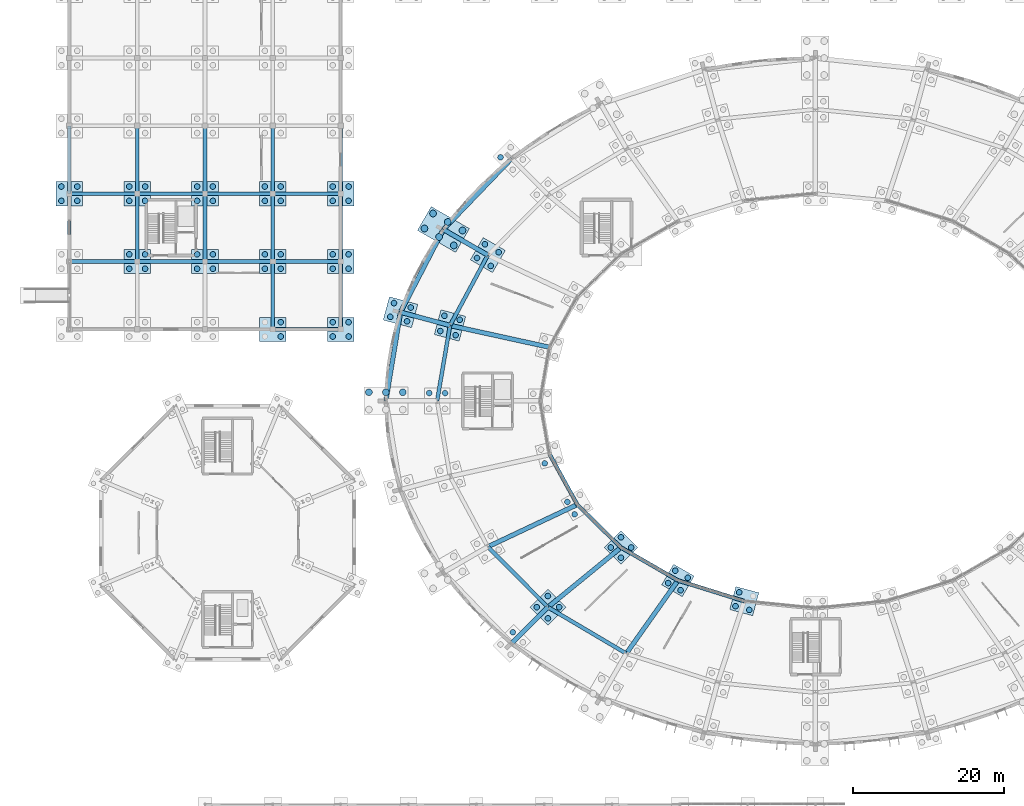
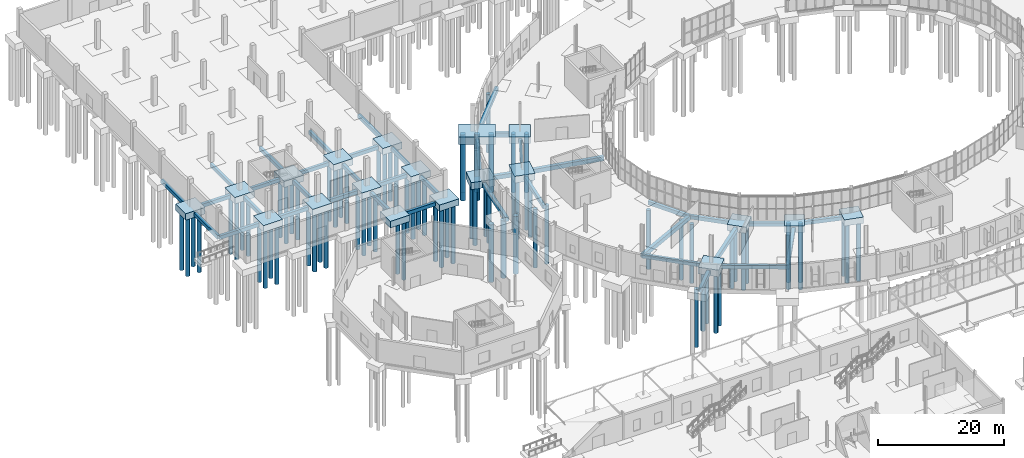
# One storey, part 4 of 118: 85 piles, 58 footings.
"""IFC4 building model written with IfcOpenShell, lengths in metres."""

from ifc_helpers import new_model, si_unit, direction, frame, origin, origin_2d, place, context, subcontext, project, spatial, rectangle, circle, extrude, material, material_profile, profile_set, type_object, element, save


model = new_model("IFC4")

# Units and contexts
model_context = context("Model", 3, precision=1e-05, world=origin(), true_north=direction((0.0, 1.0)))
body_context = subcontext(model_context, "Body", "Model", "MODEL_VIEW")
ifc_project = project(units=[si_unit("LENGTHUNIT", "METRE"), si_unit("AREAUNIT", "SQUARE_METRE"), si_unit("VOLUMEUNIT", "CUBIC_METRE"), si_unit("PLANEANGLEUNIT", "RADIAN"), si_unit("MASSUNIT", "GRAM", prefix="KILO")], contexts=[model_context])

# Site, building, storey
site_placement = place(None, origin())
site = spatial("IfcSite", under=ifc_project, at=site_placement, CompositionType="ELEMENT")
building_placement = place(site_placement, origin())
building = spatial("IfcBuilding", under=site, at=building_placement, Name="Kildeholm Park Wholesale Market", CompositionType="ELEMENT")
storey_placement = place(building_placement, origin())
storey = spatial("IfcBuildingStorey", under=building, at=storey_placement, Name="L00", CompositionType="ELEMENT", Elevation=0.0)

# Piles
ifc_material = material(Name="Concrete C35/45", Category="concrete")
ifc_material_profile_1 = material_profile(ifc_material, circle(Radius=0.375, at=origin_2d()), Name="PILE D750")
ifc_profile_set_1 = profile_set([ifc_material_profile_1], Name="Concrete C35/45")
pile_type_1 = type_object("IfcPileType", Name="Bored pile 750 mm", PredefinedType="BORED", material=ifc_profile_set_1)
pile_1_placement = place(storey_placement, frame((57.210205078125, 121.814453125, -1.25), z_axis=(0.0, 0.0, -1.0), x_axis=(1.0, 0.0, 0.0)))
element("IfcPile", 1, at=pile_1_placement, inside=storey, type_object=pile_type_1, Name="Bored pile V1-OT-09.4 PIL-0130", PredefinedType="BORED", context=body_context, shape_type="SweptSolid", body=[
    extrude(circle(Radius=0.375, at=origin_2d()), origin(), (0.0, 0.0, 1.0), 11.25),
])
for number, where, z_axis, x_axis, name in (
    (2, (56.960205078125, 109.234375, -1.199951171875), (0.0, 0.0, -1.0), (1.0, 0.0, 0.0), "Bored pile V1-MD-10.1 PIL-0135"),
    (3, (55.1416015625, 110.2841796875, -1.199951171875), (0.0, 0.0, -1.0), (1.0, 0.0, 0.0), "Bored pile V1-MD-10.2 PIL-0136"),
    (4, (55.910400390625, 107.415771484375, -1.199951171875), (0.0, 0.0, -1.0), (1.0, 0.0, 0.0), "Bored pile V1-MD-10.3 PIL-0137"),
    (5, (54.091796875, 108.4658203125, -1.199951171875), (0.0, 0.0, -1.0), (1.0, 0.0, 0.0), "Bored pile V1-MD-10.4 PIL-0138"),
    (6, (51.797119140625, 100.258544921875, -1.199951171875), (0.0, 0.0, -1.0), (1.0, 0.0, 0.0), "Bored pile V1-MD-11.1 PIL-0149"),
    (7, (49.7685546875, 100.802001953125, -1.199951171875), (0.0, 0.0, -1.0), (1.0, 0.0, 0.0), "Bored pile V1-MD-11.2 PIL-0150"),
    (8, (51.25341796875, 98.22998046875, -1.199951171875), (0.0, 0.0, -1.0), (1.0, 0.0, 0.0), "Bored pile V1-MD-11.3 PIL-0151"),
    (9, (49.22509765625, 98.7734375, -1.199951171875), (0.0, 0.0, -1.0), (1.0, 0.0, 0.0), "Bored pile V1-MD-11.4 PIL-0152"),
):
    element("IfcPile", number, at=place(storey_placement, frame(where, z_axis=z_axis, x_axis=x_axis)), inside=storey, type_object=pile_type_1, Name=name, PredefinedType="BORED", context=body_context, shape_type="SweptSolid", body=[
        extrude(circle(Radius=0.375, at=origin_2d()), origin(), (0.0, 0.0, 1.0), 11.300048828125),
    ])
for number, where, z_axis, x_axis, name in (
    (10, (45.298583984375, 101.89599609375, -1.25), (0.0, 0.0, -1.0), (1.0, 0.0, 0.0), "Bored pile V1-OT-11.1 PIL-0153"),
    (11, (43.0771484375, 102.4912109375, -1.25), (0.0, 0.0, -1.0), (1.0, 0.0, 0.0), "Bored pile V1-OT-11.2 PIL-0154"),
    (12, (44.806884765625, 100.060791015625, -1.25), (0.0, 0.0, -1.0), (1.0, 0.0, 0.0), "Bored pile V1-OT-11.3 PIL-0155"),
    (13, (42.585205078125, 100.656005859375, -1.25), (0.0, 0.0, -1.0), (1.0, 0.0, 0.0), "Bored pile V1-OT-11.4 PIL-0156"),
):
    element("IfcPile", number, at=place(storey_placement, frame(where, z_axis=z_axis, x_axis=x_axis)), inside=storey, type_object=pile_type_1, Name=name, PredefinedType="BORED", context=body_context, shape_type="SweptSolid", body=[
        extrude(circle(Radius=0.375, at=origin_2d()), origin(), (0.0, 0.0, 1.0), 11.25),
    ])
for number, where, z_axis, x_axis, name in (
    (14, (49.85009765625, 90.550048828125, -1.199951171875), (0.0, 0.0, -1.0), (1.0, 0.0, 0.0), "Bored pile V1-MD-12.1 PIL-0161"),
    (15, (47.75, 90.550048828125, -1.199951171875), (0.0, 0.0, -1.0), (1.0, 0.0, 0.0), "Bored pile V1-MD-12.2 PIL-0162"),
):
    element("IfcPile", number, at=place(storey_placement, frame(where, z_axis=z_axis, x_axis=x_axis)), inside=storey, type_object=pile_type_1, Name=name, PredefinedType="BORED", context=body_context, shape_type="SweptSolid", body=[
        extrude(circle(Radius=0.375, at=origin_2d()), origin(), (0.0, 0.0, 1.0), 11.300048828125),
    ])
for number, where, z_axis, x_axis, name in (
    (16, (63.072265625, 81.218505859375, -1.10009765625), (0.0, 0.0, -1.0), (1.0, 0.0, 0.0), "Bored pile V1-IN-13.4 PIL-0174"),
    (17, (66.09228515625, 76.09765625, -1.10009765625), (0.0, 0.0, -1.0), (1.0, 0.0, 0.0), "Bored pile V1-IN-14.2 PIL-0184"),
    (18, (67.042236328125, 74.452392578125, -1.10009765625), (0.0, 0.0, -1.0), (1.0, 0.0, 0.0), "Bored pile V1-IN-14.4 PIL-0186"),
    (19, (73.19091796875, 71.3984375, -1.10009765625), (0.0, 0.0, -1.0), (1.0, 0.0, 0.0), "Bored pile V1-IN-15.1 PIL-0197"),
    (20, (71.847412109375, 70.054931640625, -1.10009765625), (0.0, 0.0, -1.0), (1.0, 0.0, 0.0), "Bored pile V1-IN-15.2 PIL-0198"),
    (21, (74.534423828125, 70.054931640625, -1.10009765625), (0.0, 0.0, -1.0), (1.0, 0.0, 0.0), "Bored pile V1-IN-15.3 PIL-0199"),
    (22, (73.19091796875, 68.71142578125, -1.10009765625), (0.0, 0.0, -1.0), (1.0, 0.0, 0.0), "Bored pile V1-IN-15.4 PIL-0200"),
):
    element("IfcPile", number, at=place(storey_placement, frame(where, z_axis=z_axis, x_axis=x_axis)), inside=storey, type_object=pile_type_1, Name=name, PredefinedType="BORED", context=body_context, shape_type="SweptSolid", body=[
        extrude(circle(Radius=0.375, at=origin_2d()), origin(), (0.0, 0.0, 1.0), 11.39990234375),
    ])
for number, where, z_axis, x_axis, name in (
    (23, (63.5029296875, 63.619873046875, -1.199951171875), (0.0, 0.0, -1.0), (1.0, 0.0, 0.0), "Bored pile V1-MD-15.1 PIL-0201"),
    (24, (62.01806640625, 62.135009765625, -1.199951171875), (0.0, 0.0, -1.0), (1.0, 0.0, 0.0), "Bored pile V1-MD-15.2 PIL-0202"),
    (25, (64.98779296875, 62.135009765625, -1.199951171875), (0.0, 0.0, -1.0), (1.0, 0.0, 0.0), "Bored pile V1-MD-15.3 PIL-0203"),
    (26, (63.5029296875, 60.650146484375, -1.199951171875), (0.0, 0.0, -1.0), (1.0, 0.0, 0.0), "Bored pile V1-MD-15.4 PIL-0204"),
):
    element("IfcPile", number, at=place(storey_placement, frame(where, z_axis=z_axis, x_axis=x_axis)), inside=storey, type_object=pile_type_1, Name=name, PredefinedType="BORED", context=body_context, shape_type="SweptSolid", body=[
        extrude(circle(Radius=0.375, at=origin_2d()), origin(), (0.0, 0.0, 1.0), 11.300048828125),
    ])
pile_2_placement = place(storey_placement, frame((58.83642578125, 58.81201171875, -1.25), z_axis=(0.0, 0.0, -1.0), x_axis=(1.0, 0.0, 0.0)))
element("IfcPile", 27, at=pile_2_placement, inside=storey, type_object=pile_type_1, Name="Bored pile V1-OT-15.1 PIL-0205", PredefinedType="BORED", context=body_context, shape_type="SweptSolid", body=[
    extrude(circle(Radius=0.375, at=origin_2d()), origin(), (0.0, 0.0, 1.0), 11.25),
])
for number, where, z_axis, x_axis, name in (
    (28, (80.40234375, 66.981689453125, -1.10009765625), (0.0, 0.0, -1.0), (1.0, 0.0, 0.0), "Bored pile V1-IN-16.1 PIL-0209"),
    (29, (79.452392578125, 65.336181640625, -1.10009765625), (0.0, 0.0, -1.0), (1.0, 0.0, 0.0), "Bored pile V1-IN-16.2 PIL-0210"),
    (30, (82.047607421875, 66.03173828125, -1.10009765625), (0.0, 0.0, -1.0), (1.0, 0.0, 0.0), "Bored pile V1-IN-16.3 PIL-0211"),
    (31, (81.09765625, 64.38623046875, -1.10009765625), (0.0, 0.0, -1.0), (1.0, 0.0, 0.0), "Bored pile V1-IN-16.4 PIL-0212"),
    (32, (88.881103515625, 64.1005859375, -1.10009765625), (0.0, 0.0, -1.0), (1.0, 0.0, 0.0), "Bored pile V1-IN-17.1 PIL-0223"),
    (33, (88.389404296875, 62.26513671875, -1.10009765625), (0.0, 0.0, -1.0), (1.0, 0.0, 0.0), "Bored pile V1-IN-17.2 PIL-0224"),
    (34, (90.224853515625, 61.7734375, -1.10009765625), (0.0, 0.0, -1.0), (1.0, 0.0, 0.0), "Bored pile V1-IN-17.4 PIL-0226"),
):
    element("IfcPile", number, at=place(storey_placement, frame(where, z_axis=z_axis, x_axis=x_axis)), inside=storey, type_object=pile_type_1, Name=name, PredefinedType="BORED", context=body_context, shape_type="SweptSolid", body=[
        extrude(circle(Radius=0.375, at=origin_2d()), origin(), (0.0, 0.0, 1.0), 11.39990234375),
    ])
for number, where, z_axis, x_axis, name in (
    (35, (-1.050048828125, 116.050048828125, -1.14990234375), (0.0, 0.0, -1.0), (1.0, 0.0, 0.0), "Bored pile V4-000-117.1 PIL-0433"),
    (36, (1.050048828125, 116.050048828125, -1.14990234375), (0.0, 0.0, -1.0), (1.0, 0.0, 0.0), "Bored pile V4-000-117.2 PIL-0434"),
    (37, (-1.050048828125, 117.949951171875, -1.14990234375), (0.0, 0.0, -1.0), (1.0, 0.0, 0.0), "Bored pile V4-000-117.3 PIL-0435"),
    (38, (1.050048828125, 117.949951171875, -1.14990234375), (0.0, 0.0, -1.0), (1.0, 0.0, 0.0), "Bored pile V4-000-117.4 PIL-0436"),
    (39, (7.949951171875, 107.050048828125, -1.14990234375), (0.0, 0.0, -1.0), (1.0, 0.0, 0.0), "Bored pile V4-009-108.1 PIL-0465"),
    (40, (10.050048828125, 107.050048828125, -1.14990234375), (0.0, 0.0, -1.0), (1.0, 0.0, 0.0), "Bored pile V4-009-108.2 PIL-0466"),
    (41, (7.949951171875, 108.949951171875, -1.14990234375), (0.0, 0.0, -1.0), (1.0, 0.0, 0.0), "Bored pile V4-009-108.3 PIL-0467"),
    (42, (10.050048828125, 108.949951171875, -1.14990234375), (0.0, 0.0, -1.0), (1.0, 0.0, 0.0), "Bored pile V4-009-108.4 PIL-0468"),
    (43, (7.949951171875, 116.050048828125, -1.14990234375), (0.0, 0.0, -1.0), (1.0, 0.0, 0.0), "Bored pile V4-009-117.1 PIL-0469"),
    (44, (10.050048828125, 116.050048828125, -1.14990234375), (0.0, 0.0, -1.0), (1.0, 0.0, 0.0), "Bored pile V4-009-117.2 PIL-0470"),
    (45, (7.949951171875, 117.949951171875, -1.14990234375), (0.0, 0.0, -1.0), (1.0, 0.0, 0.0), "Bored pile V4-009-117.3 PIL-0471"),
    (46, (10.050048828125, 117.949951171875, -1.14990234375), (0.0, 0.0, -1.0), (1.0, 0.0, 0.0), "Bored pile V4-009-117.4 PIL-0472"),
    (47, (16.949951171875, 107.050048828125, -1.14990234375), (0.0, 0.0, -1.0), (1.0, 0.0, 0.0), "Bored pile V4-018-108.1 PIL-0501"),
    (48, (19.050048828125, 107.050048828125, -1.14990234375), (0.0, 0.0, -1.0), (1.0, 0.0, 0.0), "Bored pile V4-018-108.2 PIL-0502"),
    (49, (16.949951171875, 108.949951171875, -1.14990234375), (0.0, 0.0, -1.0), (1.0, 0.0, 0.0), "Bored pile V4-018-108.3 PIL-0503"),
    (50, (19.050048828125, 108.949951171875, -1.14990234375), (0.0, 0.0, -1.0), (1.0, 0.0, 0.0), "Bored pile V4-018-108.4 PIL-0504"),
    (51, (16.949951171875, 116.050048828125, -1.14990234375), (0.0, 0.0, -1.0), (1.0, 0.0, 0.0), "Bored pile V4-018-117.1 PIL-0505"),
    (52, (19.050048828125, 116.050048828125, -1.14990234375), (0.0, 0.0, -1.0), (1.0, 0.0, 0.0), "Bored pile V4-018-117.2 PIL-0506"),
    (53, (16.949951171875, 117.949951171875, -1.14990234375), (0.0, 0.0, -1.0), (1.0, 0.0, 0.0), "Bored pile V4-018-117.3 PIL-0507"),
    (54, (19.050048828125, 117.949951171875, -1.14990234375), (0.0, 0.0, -1.0), (1.0, 0.0, 0.0), "Bored pile V4-018-117.4 PIL-0508"),
    (55, (28.050048828125, 98.050048828125, -1.14990234375), (0.0, 0.0, -1.0), (1.0, 0.0, 0.0), "Bored pile V4-027-099.2 PIL-0534"),
    (56, (28.050048828125, 99.949951171875, -1.14990234375), (0.0, 0.0, -1.0), (1.0, 0.0, 0.0), "Bored pile V4-027-099.4 PIL-0536"),
    (57, (25.949951171875, 107.050048828125, -1.14990234375), (0.0, 0.0, -1.0), (1.0, 0.0, 0.0), "Bored pile V4-027-108.1 PIL-0537"),
    (58, (28.050048828125, 107.050048828125, -1.14990234375), (0.0, 0.0, -1.0), (1.0, 0.0, 0.0), "Bored pile V4-027-108.2 PIL-0538"),
    (59, (25.949951171875, 108.949951171875, -1.14990234375), (0.0, 0.0, -1.0), (1.0, 0.0, 0.0), "Bored pile V4-027-108.3 PIL-0539"),
    (60, (28.050048828125, 108.949951171875, -1.14990234375), (0.0, 0.0, -1.0), (1.0, 0.0, 0.0), "Bored pile V4-027-108.4 PIL-0540"),
    (61, (25.949951171875, 116.050048828125, -1.14990234375), (0.0, 0.0, -1.0), (1.0, 0.0, 0.0), "Bored pile V4-027-117.1 PIL-0541"),
    (62, (28.050048828125, 116.050048828125, -1.14990234375), (0.0, 0.0, -1.0), (1.0, 0.0, 0.0), "Bored pile V4-027-117.2 PIL-0542"),
    (63, (25.949951171875, 117.949951171875, -1.14990234375), (0.0, 0.0, -1.0), (1.0, 0.0, 0.0), "Bored pile V4-027-117.3 PIL-0543"),
    (64, (28.050048828125, 117.949951171875, -1.14990234375), (0.0, 0.0, -1.0), (1.0, 0.0, 0.0), "Bored pile V4-027-117.4 PIL-0544"),
    (65, (34.949951171875, 98.050048828125, -1.14990234375), (0.0, 0.0, -1.0), (1.0, 0.0, 0.0), "Bored pile V4-036-099.1 PIL-0569"),
    (66, (37.050048828125, 98.050048828125, -1.14990234375), (0.0, 0.0, -1.0), (1.0, 0.0, 0.0), "Bored pile V4-036-099.2 PIL-0570"),
    (67, (34.949951171875, 99.949951171875, -1.14990234375), (0.0, 0.0, -1.0), (1.0, 0.0, 0.0), "Bored pile V4-036-099.3 PIL-0571"),
    (68, (37.050048828125, 99.949951171875, -1.14990234375), (0.0, 0.0, -1.0), (1.0, 0.0, 0.0), "Bored pile V4-036-099.4 PIL-0572"),
    (69, (34.949951171875, 107.050048828125, -1.14990234375), (0.0, 0.0, -1.0), (1.0, 0.0, 0.0), "Bored pile V4-036-108.1 PIL-0573"),
    (70, (37.050048828125, 107.050048828125, -1.14990234375), (0.0, 0.0, -1.0), (1.0, 0.0, 0.0), "Bored pile V4-036-108.2 PIL-0574"),
    (71, (34.949951171875, 108.949951171875, -1.14990234375), (0.0, 0.0, -1.0), (1.0, 0.0, 0.0), "Bored pile V4-036-108.3 PIL-0575"),
    (72, (37.050048828125, 108.949951171875, -1.14990234375), (0.0, 0.0, -1.0), (1.0, 0.0, 0.0), "Bored pile V4-036-108.4 PIL-0576"),
    (73, (34.949951171875, 116.050048828125, -1.14990234375), (0.0, 0.0, -1.0), (1.0, 0.0, 0.0), "Bored pile V4-036-117.1 PIL-0577"),
    (74, (37.050048828125, 116.050048828125, -1.14990234375), (0.0, 0.0, -1.0), (1.0, 0.0, 0.0), "Bored pile V4-036-117.2 PIL-0578"),
    (75, (34.949951171875, 117.949951171875, -1.14990234375), (0.0, 0.0, -1.0), (1.0, 0.0, 0.0), "Bored pile V4-036-117.3 PIL-0579"),
    (76, (37.050048828125, 117.949951171875, -1.14990234375), (0.0, 0.0, -1.0), (1.0, 0.0, 0.0), "Bored pile V4-036-117.4 PIL-0580"),
):
    element("IfcPile", number, at=place(storey_placement, frame(where, z_axis=z_axis, x_axis=x_axis)), inside=storey, type_object=pile_type_1, Name=name, PredefinedType="BORED", context=body_context, shape_type="SweptSolid", body=[
        extrude(circle(Radius=0.375, at=origin_2d()), origin(), (0.0, 0.0, 1.0), 11.35009765625),
    ])
ifc_material_profile_2 = material_profile(ifc_material, circle(Radius=0.449951171875, at=origin_2d()), Name="PILE D900")
ifc_profile_set_2 = profile_set([ifc_material_profile_2], Name="Concrete C35/45")
pile_type_2 = type_object("IfcPileType", Name="Bored pile 900 mm", PredefinedType="BORED", material=ifc_profile_set_2)
for number, where, z_axis, x_axis, name in (
    (77, (52.16064453125, 112.120849609375, -1.35009765625), (0.0, 0.0, -1.0), (1.0, 0.0, 0.0), "Bored pile V1-OT-10.1 PIL-0139"),
    (78, (50.2119140625, 113.245849609375, -1.35009765625), (0.0, 0.0, -1.0), (1.0, 0.0, 0.0), "Bored pile V1-OT-10.2 PIL-0140"),
    (79, (48.263427734375, 114.370849609375, -1.35009765625), (0.0, 0.0, -1.0), (1.0, 0.0, 0.0), "Bored pile V1-OT-10.3 PIL-0141"),
    (80, (51.010498046875, 110.129150390625, -1.35009765625), (0.0, 0.0, -1.0), (1.0, 0.0, 0.0), "Bored pile V1-OT-10.4 PIL-0142"),
    (81, (49.06201171875, 111.254150390625, -1.35009765625), (0.0, 0.0, -1.0), (1.0, 0.0, 0.0), "Bored pile V1-OT-10.5 PIL-0143"),
    (82, (47.11328125, 112.379150390625, -1.35009765625), (0.0, 0.0, -1.0), (1.0, 0.0, 0.0), "Bored pile V1-OT-10.6 PIL-0144"),
    (83, (44.25, 90.64990234375, -1.35009765625), (0.0, 0.0, -1.0), (1.0, 0.0, 0.0), "Bored pile V1-OT-12.1 PIL-0165"),
    (84, (42.0, 90.64990234375, -1.35009765625), (0.0, 0.0, -1.0), (1.0, 0.0, 0.0), "Bored pile V1-OT-12.2 PIL-0166"),
    (85, (39.75, 90.64990234375, -1.35009765625), (0.0, 0.0, -1.0), (1.0, 0.0, 0.0), "Bored pile V1-OT-12.3 PIL-0167"),
):
    element("IfcPile", number, at=place(storey_placement, frame(where, z_axis=z_axis, x_axis=x_axis)), inside=storey, type_object=pile_type_2, Name=name, PredefinedType="BORED", context=body_context, shape_type="SweptSolid", body=[
        extrude(circle(Radius=0.449951171875, at=origin_2d()), origin(), (0.0, 0.0, 1.0), 11.14990234375),
    ])

# Footings
ifc_material_profile_3 = material_profile(ifc_material, rectangle(XDim=0.5, YDim=0.699951171875, at=origin_2d()), Name="FB 500x700")
ifc_profile_set_3 = profile_set([ifc_material_profile_3], Name="Concrete C35/45")
footing_type_1 = type_object("IfcFootingType", Name="Ground tie beam GB-1 FB 500x700", PredefinedType="FOOTING_BEAM", material=ifc_profile_set_3)
footing_1_placement = place(storey_placement, frame((55.52587890625, 108.85009765625, -0.64990234375), z_axis=(-0.473287580572, -0.880907978211, 0.0), x_axis=(0.880907978211, -0.473287580572, 0.0)))
element("IfcFooting", 86, at=footing_1_placement, inside=storey, type_object=footing_type_1, Name="Ground tie beam GB-V1-CMD-10 FTG-0126", PredefinedType="FOOTING_BEAM", context=body_context, shape_type="SweptSolid", body=[
    extrude(rectangle(XDim=0.5, YDim=0.699951171875, at=origin_2d()), origin(), (0.0, 0.0, 1.0), 10.595947265625),
])
footing_2_placement = place(storey_placement, frame((50.510986328125, 99.51611328125, -0.64990234375), z_axis=(-0.168379597692, -0.985722228156, 0.0), x_axis=(0.985722228156, -0.168379597692, 0.0)))
element("IfcFooting", 87, at=footing_2_placement, inside=storey, type_object=footing_type_1, Name="Ground tie beam GB-V1-CMD-11 FTG-0131", PredefinedType="FOOTING_BEAM", context=body_context, shape_type="SweptSolid", body=[
    extrude(rectangle(XDim=0.5, YDim=0.699951171875, at=origin_2d()), origin(), (0.0, 0.0, 1.0), 10.1611328125),
])
footing_3_placement = place(storey_placement, frame((63.743896484375, 82.382080078125, -0.64990234375), z_axis=(0.481751565348, -0.876307839338, 0.0), x_axis=(0.876307839338, 0.481751565348, 0.0)))
element("IfcFooting", 88, at=footing_3_placement, inside=storey, type_object=footing_type_1, Name="Ground tie beam GB-V1-CIN-13 FTG-0140", PredefinedType="FOOTING_BEAM", context=body_context, shape_type="SweptSolid", body=[
    extrude(rectangle(XDim=0.5, YDim=0.699951171875, at=origin_2d()), origin(), (0.0, 0.0, 1.0), 7.568115234375),
])
footing_4_placement = place(storey_placement, frame((67.389892578125, 75.75, -0.64990234375), z_axis=(0.713593723838, -0.700559774251, 0.0), x_axis=(0.700559774251, 0.713593723838, 0.0)))
element("IfcFooting", 89, at=footing_4_placement, inside=storey, type_object=footing_type_1, Name="Ground tie beam GB-V1-CIN-14 FTG-0145", PredefinedType="FOOTING_BEAM", context=body_context, shape_type="SweptSolid", body=[
    extrude(rectangle(XDim=0.5, YDim=0.699951171875, at=origin_2d()), origin(), (0.0, 0.0, 1.0), 8.12939453125),
])
footing_5_placement = place(storey_placement, frame((55.52587890625, 70.14990234375, -0.64990234375), z_axis=(0.705431576708, -0.708778026313, 0.0), x_axis=(0.708778026313, 0.705431576708, 0.0)))
element("IfcFooting", 90, at=footing_5_placement, inside=storey, type_object=footing_type_1, Name="Ground tie beam GB-V1-CMD-14 FTG-0146", PredefinedType="FOOTING_BEAM", context=body_context, shape_type="SweptSolid", body=[
    extrude(rectangle(XDim=0.5, YDim=0.699951171875, at=origin_2d()), origin(), (0.0, 0.0, 1.0), 11.30810546875),
])
footing_6_placement = place(storey_placement, frame((73.19091796875, 70.054931640625, -0.64990234375), z_axis=(0.865697347457, -0.500567780231, 0.0), x_axis=(0.500567780231, 0.865697347457, 0.0)))
element("IfcFooting", 91, at=footing_6_placement, inside=storey, type_object=footing_type_1, Name="Ground tie beam GB-V1-CIN-15 FTG-0150", PredefinedType="FOOTING_BEAM", context=body_context, shape_type="SweptSolid", body=[
    extrude(rectangle(XDim=0.5, YDim=0.699951171875, at=origin_2d()), origin(), (0.0, 0.0, 1.0), 8.731689453125),
])
footing_7_placement = place(storey_placement, frame((63.5029296875, 62.135009765625, -0.64990234375), z_axis=(0.860700316594, -0.509111937609, 0.0), x_axis=(0.509111937609, 0.860700316594, 0.0)))
element("IfcFooting", 92, at=footing_7_placement, inside=storey, type_object=footing_type_1, Name="Ground tie beam GB-V1-CMD-15 FTG-0151", PredefinedType="FOOTING_BEAM", context=body_context, shape_type="SweptSolid", body=[
    extrude(rectangle(XDim=0.5, YDim=0.699951171875, at=origin_2d()), origin(), (0.0, 0.0, 1.0), 12.07958984375),
])
footing_8_placement = place(storey_placement, frame((80.75, 65.68408203125, -0.64990234375), z_axis=(0.9545990852, -0.297893582568, 0.0), x_axis=(0.297893582568, 0.9545990852, 0.0)))
element("IfcFooting", 93, at=footing_8_placement, inside=storey, type_object=footing_type_1, Name="Ground tie beam GB-V1-CIN-16 FTG-0155", PredefinedType="FOOTING_BEAM", context=body_context, shape_type="SweptSolid", body=[
    extrude(rectangle(XDim=0.5, YDim=0.699951171875, at=origin_2d()), origin(), (0.0, 0.0, 1.0), 9.2216796875),
])
for number, where, z_axis, x_axis, name in (
    (94, (0.0, 108.0, -0.64990234375), (1.0, 0.0, 0.0), (0.0, 1.0, 0.0), "Ground tie beam GB-V4-X-000-108 FTG-0400"),
    (95, (0.0, 108.0, -0.64990234375), (0.0, 1.0, 0.0), (-1.0, 0.0, 0.0), "Ground tie beam GB-V4-Y-000-108 FTG-0401"),
    (96, (0.0, 117.0, -0.64990234375), (1.0, 0.0, 0.0), (0.0, 1.0, 0.0), "Ground tie beam GB-V4-X-000-117 FTG-0402"),
    (97, (0.0, 117.0, -0.64990234375), (0.0, 1.0, 0.0), (-1.0, 0.0, 0.0), "Ground tie beam GB-V4-Y-000-117 FTG-0403"),
    (98, (9.0, 108.0, -0.64990234375), (1.0, 0.0, 0.0), (0.0, 1.0, 0.0), "Ground tie beam GB-V4-X-009-108 FTG-0417"),
    (99, (9.0, 108.0, -0.64990234375), (0.0, 1.0, 0.0), (-1.0, 0.0, 0.0), "Ground tie beam GB-V4-Y-009-108 FTG-0418"),
    (100, (9.0, 117.0, -0.64990234375), (1.0, 0.0, 0.0), (0.0, 1.0, 0.0), "Ground tie beam GB-V4-X-009-117 FTG-0419"),
    (101, (9.0, 117.0, -0.64990234375), (0.0, 1.0, 0.0), (-1.0, 0.0, 0.0), "Ground tie beam GB-V4-Y-009-117 FTG-0420"),
    (102, (18.0, 108.0, -0.64990234375), (1.0, 0.0, 0.0), (0.0, 1.0, 0.0), "Ground tie beam GB-V4-X-018-108 FTG-0434"),
    (103, (18.0, 108.0, -0.64990234375), (0.0, 1.0, 0.0), (-1.0, 0.0, 0.0), "Ground tie beam GB-V4-Y-018-108 FTG-0435"),
    (104, (18.0, 117.0, -0.64990234375), (1.0, 0.0, 0.0), (0.0, 1.0, 0.0), "Ground tie beam GB-V4-X-018-117 FTG-0436"),
    (105, (18.0, 117.0, -0.64990234375), (0.0, 1.0, 0.0), (-1.0, 0.0, 0.0), "Ground tie beam GB-V4-Y-018-117 FTG-0437"),
    (106, (27.0, 99.0, -0.64990234375), (1.0, 0.0, 0.0), (0.0, 1.0, 0.0), "Ground tie beam GB-V4-X-027-099 FTG-0449"),
    (107, (27.0, 99.0, -0.64990234375), (0.0, 1.0, 0.0), (-1.0, 0.0, 0.0), "Ground tie beam GB-V4-Y-027-099 FTG-0450"),
    (108, (27.0, 108.0, -0.64990234375), (1.0, 0.0, 0.0), (0.0, 1.0, 0.0), "Ground tie beam GB-V4-X-027-108 FTG-0451"),
    (109, (27.0, 108.0, -0.64990234375), (0.0, 1.0, 0.0), (-1.0, 0.0, 0.0), "Ground tie beam GB-V4-Y-027-108 FTG-0452"),
    (110, (27.0, 117.0, -0.64990234375), (1.0, 0.0, 0.0), (0.0, 1.0, 0.0), "Ground tie beam GB-V4-X-027-117 FTG-0453"),
    (111, (27.0, 117.0, -0.64990234375), (0.0, 1.0, 0.0), (-1.0, 0.0, 0.0), "Ground tie beam GB-V4-Y-027-117 FTG-0454"),
    (112, (36.0, 99.0, -0.64990234375), (0.0, 1.0, 0.0), (-1.0, 0.0, 0.0), "Ground tie beam GB-V4-Y-036-099 FTG-0466"),
    (113, (36.0, 108.0, -0.64990234375), (0.0, 1.0, 0.0), (-1.0, 0.0, 0.0), "Ground tie beam GB-V4-Y-036-108 FTG-0467"),
    (114, (36.0, 117.0, -0.64990234375), (0.0, 1.0, 0.0), (-1.0, 0.0, 0.0), "Ground tie beam GB-V4-Y-036-117 FTG-0468"),
):
    element("IfcFooting", number, at=place(storey_placement, frame(where, z_axis=z_axis, x_axis=x_axis)), inside=storey, type_object=footing_type_1, Name=name, PredefinedType="FOOTING_BEAM", context=body_context, shape_type="SweptSolid", body=[
        extrude(rectangle(XDim=0.5, YDim=0.699951171875, at=origin_2d()), origin(), (0.0, 0.0, 1.0), 9.0),
    ])
ifc_material_profile_4 = material_profile(ifc_material, rectangle(XDim=0.60009765625, YDim=0.800048828125, at=origin_2d()), Name="FB 600x800")
ifc_profile_set_4 = profile_set([ifc_material_profile_4], Name="Concrete C35/45")
footing_type_2 = type_object("IfcFootingType", Name="Ground tie beam GB-2 FB 600x800", PredefinedType="FOOTING_BEAM", material=ifc_profile_set_4)
footing_9_placement = place(storey_placement, frame((58.695068359375, 121.673095703125, -0.699951171875), z_axis=(-0.693006803532, -0.720931044039, 0.0), x_axis=(0.720931044039, -0.693006803532, 0.0)))
element("IfcFooting", 115, at=footing_9_placement, inside=storey, type_object=footing_type_2, Name="Ground tie beam GB-V1-COT-09 FTG-0122", PredefinedType="FOOTING_BEAM", context=body_context, shape_type="SweptSolid", body=[
    extrude(rectangle(XDim=0.60009765625, YDim=0.800048828125, at=origin_2d()), origin(), (0.0, 0.0, 1.0), 13.07080078125),
])
footing_10_placement = place(storey_placement, frame((55.52587890625, 108.85009765625, -0.699951171875), z_axis=(-0.866029536736, 0.499992841449, 0.0), x_axis=(-0.499992841449, -0.866029536736, 0.0)))
element("IfcFooting", 116, at=footing_10_placement, inside=storey, type_object=footing_type_2, Name="Ground tie beam GB-V1-RAD2-10 FTG-0124", PredefinedType="FOOTING_BEAM", context=body_context, shape_type="SweptSolid", body=[
    extrude(rectangle(XDim=0.60009765625, YDim=0.800048828125, at=origin_2d()), origin(), (0.0, 0.0, 1.0), 6.7998046875),
])
footing_11_placement = place(storey_placement, frame((49.636962890625, 112.25, -0.699951171875), z_axis=(-0.460622041592, -0.887596380569, 0.0), x_axis=(0.887596380569, -0.460622041592, 0.0)))
element("IfcFooting", 117, at=footing_11_placement, inside=storey, type_object=footing_type_2, Name="Ground tie beam GB-V1-COT-10 FTG-0127", PredefinedType="FOOTING_BEAM", context=body_context, shape_type="SweptSolid", body=[
    extrude(rectangle(XDim=0.60009765625, YDim=0.800048828125, at=origin_2d()), origin(), (0.0, 0.0, 1.0), 12.36376953125),
])
footing_12_placement = place(storey_placement, frame((63.743896484375, 96.617919921875, -0.699951171875), z_axis=(-0.976846137752, 0.213943037181, 0.0), x_axis=(-0.213943037181, -0.976846137752, 0.0)))
element("IfcFooting", 118, at=footing_12_placement, inside=storey, type_object=footing_type_2, Name="Ground tie beam GB-V1-RAD1-11 FTG-0128", PredefinedType="FOOTING_BEAM", context=body_context, shape_type="SweptSolid", body=[
    extrude(rectangle(XDim=0.60009765625, YDim=0.800048828125, at=origin_2d()), origin(), (0.0, 0.0, 1.0), 13.546630859375),
])
footing_13_placement = place(storey_placement, frame((50.510986328125, 99.51611328125, -0.699951171875), z_axis=(-0.965941161837, 0.258761805275, 0.0), x_axis=(-0.258761805275, -0.965941161837, 0.0)))
element("IfcFooting", 119, at=footing_13_placement, inside=storey, type_object=footing_type_2, Name="Ground tie beam GB-V1-RAD2-11 FTG-0129", PredefinedType="FOOTING_BEAM", context=body_context, shape_type="SweptSolid", body=[
    extrude(rectangle(XDim=0.60009765625, YDim=0.800048828125, at=origin_2d()), origin(), (0.0, 0.0, 1.0), 6.80078125),
])
footing_14_placement = place(storey_placement, frame((43.94189453125, 101.27587890625, -0.699951171875), z_axis=(-0.162706979486, -0.98667443406, 0.0), x_axis=(0.98667443406, -0.162706979486, 0.0)))
element("IfcFooting", 120, at=footing_14_placement, inside=storey, type_object=footing_type_2, Name="Ground tie beam GB-V1-COT-11 FTG-0132", PredefinedType="FOOTING_BEAM", context=body_context, shape_type="SweptSolid", body=[
    extrude(rectangle(XDim=0.60009765625, YDim=0.800048828125, at=origin_2d()), origin(), (0.0, 0.0, 1.0), 11.934814453125),
])
footing_15_placement = place(storey_placement, frame((67.389892578125, 75.75, -0.699951171875), z_axis=(-0.904317894242, -0.426859632846, 0.0), x_axis=(0.426859632846, -0.904317894242, 0.0)))
element("IfcFooting", 121, at=footing_15_placement, inside=storey, type_object=footing_type_2, Name="Ground tie beam GB-V1-RAD1-14 FTG-0143", PredefinedType="FOOTING_BEAM", context=body_context, shape_type="SweptSolid", body=[
    extrude(rectangle(XDim=0.60009765625, YDim=0.800048828125, at=origin_2d()), origin(), (0.0, 0.0, 1.0), 13.119384765625),
])
footing_16_placement = place(storey_placement, frame((73.19091796875, 70.054931640625, -0.699951171875), z_axis=(-0.774216280002, -0.632921126034, 0.0), x_axis=(0.632921126034, -0.774216280002, 0.0)))
element("IfcFooting", 122, at=footing_16_placement, inside=storey, type_object=footing_type_2, Name="Ground tie beam GB-V1-RAD1-15 FTG-0148", PredefinedType="FOOTING_BEAM", context=body_context, shape_type="SweptSolid", body=[
    extrude(rectangle(XDim=0.60009765625, YDim=0.800048828125, at=origin_2d()), origin(), (0.0, 0.0, 1.0), 12.51318359375),
])
footing_17_placement = place(storey_placement, frame((63.5029296875, 62.135009765625, -0.699951171875), z_axis=(-0.707088828163, -0.707124733755, 0.0), x_axis=(0.707124733755, -0.707088828163, 0.0)))
element("IfcFooting", 123, at=footing_17_placement, inside=storey, type_object=footing_type_2, Name="Ground tie beam GB-V1-RAD2-15 FTG-0149", PredefinedType="FOOTING_BEAM", context=body_context, shape_type="SweptSolid", body=[
    extrude(rectangle(XDim=0.60009765625, YDim=0.800048828125, at=origin_2d()), origin(), (0.0, 0.0, 1.0), 6.799560546875),
])
footing_18_placement = place(storey_placement, frame((80.75, 65.68408203125, -0.699951171875), z_axis=(-0.576894674263, -0.816818544603, 0.0), x_axis=(0.816818544603, -0.576894674263, 0.0)))
element("IfcFooting", 124, at=footing_18_placement, inside=storey, type_object=footing_type_2, Name="Ground tie beam GB-V1-RAD1-16 FTG-0153", PredefinedType="FOOTING_BEAM", context=body_context, shape_type="SweptSolid", body=[
    extrude(rectangle(XDim=0.60009765625, YDim=0.800048828125, at=origin_2d()), origin(), (0.0, 0.0, 1.0), 11.8740234375),
])
footing_type_3 = type_object("IfcFootingType", Name="Pile cap PC-4B 3150x3150x1200", PredefinedType="PILE_CAP", material=ifc_material)
for number, where, z_axis, x_axis, name in (
    (125, (73.19091796875, 70.054931640625, -1.2001953125), (0.0, 0.0, 1.0), (-0.707106781187, -0.707106781187, 0.0), "Pile cap V1-IN-15 FTG-0046"),
    (126, (80.75, 65.68408203125, -1.2001953125), (0.0, 0.0, 1.0), (-0.5, -0.866025403784, 0.0), "Pile cap V1-IN-16 FTG-0049"),
    (127, (89.552978515625, 62.93701171875, -1.2001953125), (0.0, 0.0, 1.0), (-0.258819045103, -0.965925826289, 0.0), "Pile cap V1-IN-17 FTG-0052"),
):
    element("IfcFooting", number, at=place(storey_placement, frame(where, z_axis=z_axis, x_axis=x_axis)), inside=storey, type_object=footing_type_3, Name=name, PredefinedType="PILE_CAP", context=body_context, shape_type="SweptSolid", body=[
        extrude(rectangle(XDim=3.14990234375, YDim=3.14990234375, at=origin_2d()), origin(), (0.0, 0.0, 1.0), 1.199951171875),
    ])
footing_type_4 = type_object("IfcFootingType", Name="Pile cap PC-4C 3400x3400x1300", PredefinedType="PILE_CAP", material=ifc_material)
for number, where, z_axis, x_axis, name in (
    (128, (55.52587890625, 108.85009765625, -1.2998046875), (0.0, 0.0, 1.0), (-0.866025403784, 0.5, 0.0), "Pile cap V1-MD-10 FTG-0032"),
    (129, (50.510986328125, 99.51611328125, -1.2998046875), (0.0, 0.0, 1.0), (-0.965925826289, 0.258819045103, 0.0), "Pile cap V1-MD-11 FTG-0035"),
    (130, (63.5029296875, 62.135009765625, -1.2998046875), (0.0, 0.0, 1.0), (-0.707106781187, -0.707106781187, 0.0), "Pile cap V1-MD-15 FTG-0047"),
):
    element("IfcFooting", number, at=place(storey_placement, frame(where, z_axis=z_axis, x_axis=x_axis)), inside=storey, type_object=footing_type_4, Name=name, PredefinedType="PILE_CAP", context=body_context, shape_type="SweptSolid", body=[
        extrude(rectangle(XDim=3.39990234375, YDim=3.39990234375, at=origin_2d()), origin(), (0.0, 0.0, 1.0), 1.300048828125),
    ])
footing_type_5 = type_object("IfcFootingType", Name="Pile cap PC-4D 3550x3200x1250", PredefinedType="PILE_CAP", material=ifc_material)
for number, where, z_axis, x_axis, name in (
    (131, (0.0, 117.0, -1.25), (0.0, 0.0, 1.0), (1.0, 0.0, 0.0), "Pile cap V4-000-117 FTG-0291"),
    (132, (9.0, 108.0, -1.25), (0.0, 0.0, 1.0), (1.0, 0.0, 0.0), "Pile cap V4-009-108 FTG-0299"),
    (133, (9.0, 117.0, -1.25), (0.0, 0.0, 1.0), (1.0, 0.0, 0.0), "Pile cap V4-009-117 FTG-0300"),
    (134, (18.0, 108.0, -1.25), (0.0, 0.0, 1.0), (1.0, 0.0, 0.0), "Pile cap V4-018-108 FTG-0308"),
    (135, (18.0, 117.0, -1.25), (0.0, 0.0, 1.0), (1.0, 0.0, 0.0), "Pile cap V4-018-117 FTG-0309"),
    (136, (27.0, 99.0, -1.25), (0.0, 0.0, 1.0), (1.0, 0.0, 0.0), "Pile cap V4-027-099 FTG-0316"),
    (137, (27.0, 108.0, -1.25), (0.0, 0.0, 1.0), (1.0, 0.0, 0.0), "Pile cap V4-027-108 FTG-0317"),
    (138, (27.0, 117.0, -1.25), (0.0, 0.0, 1.0), (1.0, 0.0, 0.0), "Pile cap V4-027-117 FTG-0318"),
    (139, (36.0, 99.0, -1.25), (0.0, 0.0, 1.0), (1.0, 0.0, 0.0), "Pile cap V4-036-099 FTG-0325"),
    (140, (36.0, 108.0, -1.25), (0.0, 0.0, 1.0), (1.0, 0.0, 0.0), "Pile cap V4-036-108 FTG-0326"),
    (141, (36.0, 117.0, -1.25), (0.0, 0.0, 1.0), (1.0, 0.0, 0.0), "Pile cap V4-036-117 FTG-0327"),
):
    element("IfcFooting", number, at=place(storey_placement, frame(where, z_axis=z_axis, x_axis=x_axis)), inside=storey, type_object=footing_type_5, Name=name, PredefinedType="PILE_CAP", context=body_context, shape_type="SweptSolid", body=[
        extrude(rectangle(XDim=3.550048828125, YDim=3.199951171875, at=origin_2d()), origin(), (0.0, 0.0, 1.0), 1.25),
    ])
footing_type_6 = type_object("IfcFootingType", Name="Pile cap PC-4E 3900x3200x1350", PredefinedType="PILE_CAP", material=ifc_material)
footing_19_placement = place(storey_placement, frame((43.94189453125, 101.27587890625, -1.35009765625), z_axis=(0.0, 0.0, 1.0), x_axis=(-0.965925826289, 0.258819045103, 0.0)))
element("IfcFooting", 142, at=footing_19_placement, inside=storey, type_object=footing_type_6, Name="Pile cap V1-OT-11 FTG-0036", PredefinedType="PILE_CAP", context=body_context, shape_type="SweptSolid", body=[
    extrude(rectangle(XDim=3.89990234375, YDim=3.199951171875, at=origin_2d()), origin(), (0.0, 0.0, 1.0), 1.35009765625),
])
footing_type_7 = type_object("IfcFootingType", Name="Pile cap PC-6A 5850x3650x1450", PredefinedType="PILE_CAP", material=ifc_material)
footing_20_placement = place(storey_placement, frame((49.636962890625, 112.25, -1.4501953125), z_axis=(0.0, 0.0, 1.0), x_axis=(-0.866025403784, 0.5, 0.0)))
element("IfcFooting", 143, at=footing_20_placement, inside=storey, type_object=footing_type_7, Name="Pile cap V1-OT-10 FTG-0033", PredefinedType="PILE_CAP", context=body_context, shape_type="SweptSolid", body=[
    extrude(rectangle(XDim=5.85009765625, YDim=3.64990234375, at=origin_2d()), origin(), (0.0, 0.0, 1.0), 1.449951171875),
])

save(model, "model.ifc")
